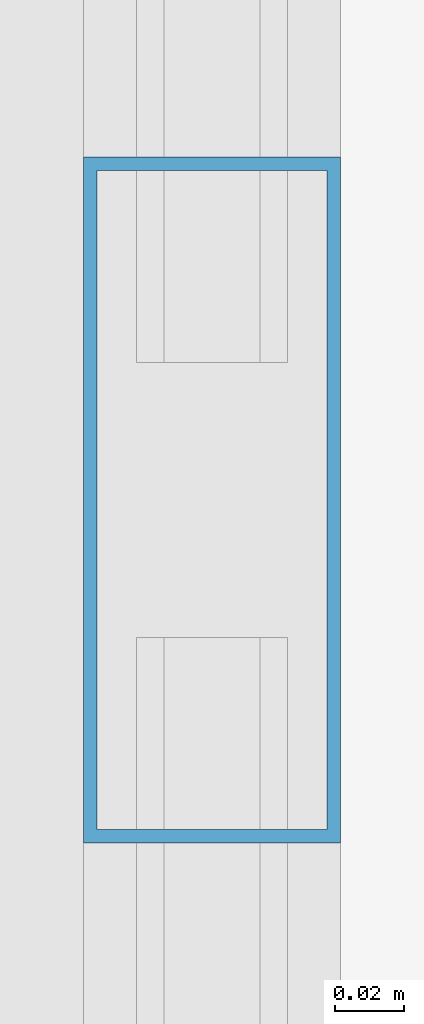
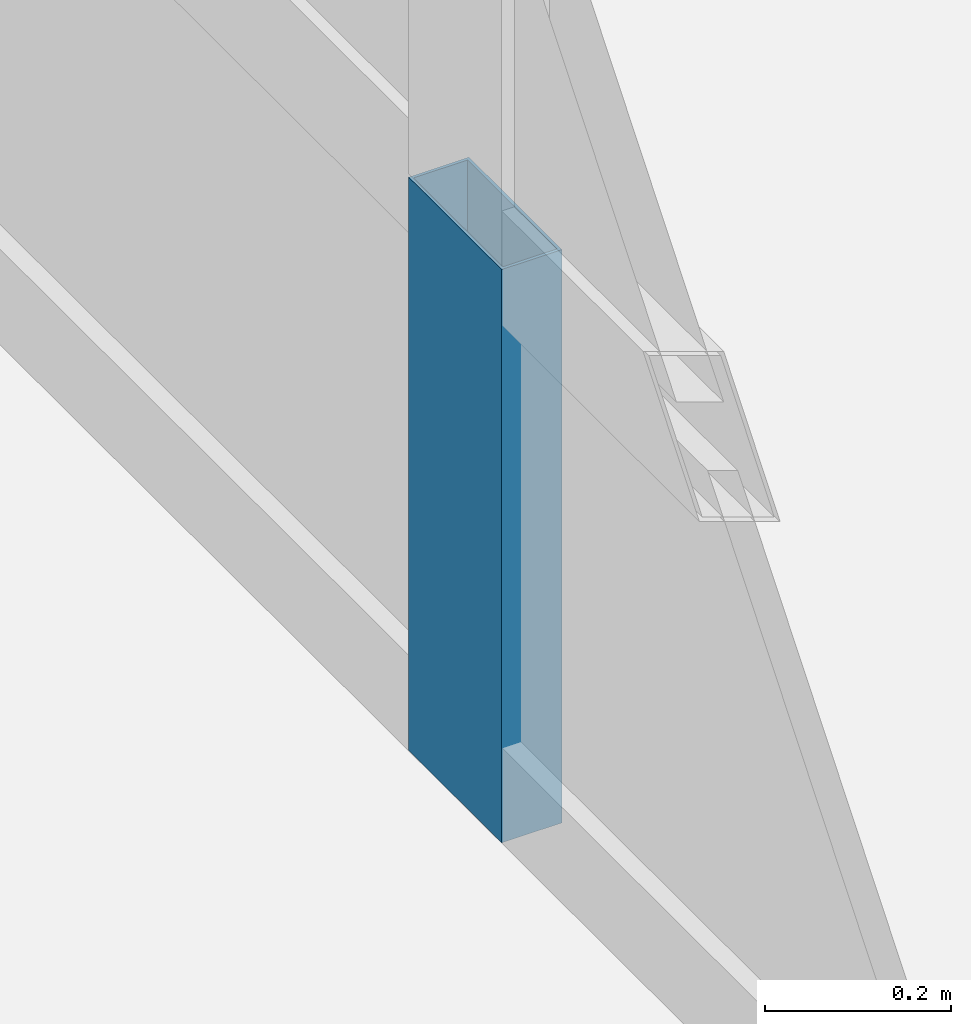
# One storey, part 22 of 35: 1 member, 1 element without a shape of its own.
"""IFC4 building model written with IfcOpenShell, lengths in metres."""

from ifc_helpers import new_model, si_unit, direction, frame, origin, origin_2d, place, context, subcontext, project, spatial, hollow_rectangle, extrude, source, transform, mapped, material, layer, layer_set, material_profile, profile_set, type_object, element, aggregate, save


model = new_model("IFC4")

# Units and contexts
model_context = context("Model", 3, precision=1e-05, world=origin(), true_north=direction((0.0, 1.0)))
body_context = subcontext(model_context, "Body", "Model", "MODEL_VIEW")
ifc_project = project(units=[si_unit("LENGTHUNIT", "METRE"), si_unit("AREAUNIT", "SQUARE_METRE"), si_unit("VOLUMEUNIT", "CUBIC_METRE"), si_unit("PLANEANGLEUNIT", "RADIAN"), si_unit("MASSUNIT", "GRAM", prefix="KILO"), si_unit("THERMODYNAMICTEMPERATUREUNIT", "KELVIN"), si_unit("POWERUNIT", "WATT")], contexts=[model_context])

# Site, building, storey
site_placement = place(None, origin())
site = spatial("IfcSite", under=ifc_project, at=site_placement, CompositionType="ELEMENT")
building_placement = place(site_placement, origin())
building = spatial("IfcBuilding", under=site, at=building_placement, Name="Yuzanri Waterfront Tower", CompositionType="ELEMENT")
storey_placement = place(building_placement, frame((0.0, 0.0, 311.199951171875)))
storey = spatial("IfcBuildingStorey", under=building, at=storey_placement, Name="L83", CompositionType="ELEMENT", Elevation=311.199951171875)

# Curtain wall, member
ifc_material_1 = material(Name="Anodized Architectural Bronze", Category="metal")
ifc_layer = layer(ifc_material_1, 0.159912109375)
ifc_layer_set = layer_set([ifc_layer], Name="Anodized Architectural Bronze")
curtain_wall_type = type_object("IfcCurtainWallType", Name="Anodized Bronze High-Rise Penthouse High-Wind Unitized Curtain Wall 6900", PredefinedType="NOTDEFINED", material=ifc_layer_set)
curtain_wall_placement = place(storey_placement, origin())
curtain_wall = element("IfcCurtainWall", 1, at=curtain_wall_placement, inside=storey, type_object=curtain_wall_type, Name="L83 Curtain Wall CW-L83-WL", PredefinedType="NOTDEFINED")
ifc_material_2 = material(Name="Anodized Architectural Bronze", Category="metal")
ifc_material_profile = material_profile(ifc_material_2, hollow_rectangle(XDim=0.074951171875, YDim=0.199951171875, WallThickness=0.00390625, at=origin_2d()), Name="CWM 75x200")
ifc_profile_set = profile_set([ifc_material_profile], Name="Anodized Architectural Bronze")
member_type = type_object("IfcMemberType", Name="Anodized Bronze Primary Curtain-Wall Mullion 75x200", PredefinedType="MULLION", material=ifc_profile_set)
shared_shape = source(origin(), body_context, "Body", "SweptSolid", [
    extrude(hollow_rectangle(XDim=0.074951171875, YDim=0.199951171875, WallThickness=0.00390625, at=origin_2d()), origin(), (0.0, 0.0, 1.0), 0.751953125),
])
member_placement = place(storey_placement, frame((18.050048828125, 19.75, 0.0), z_axis=(0.0, 0.0, 1.0), x_axis=(1.0, 0.0, 0.0)))
member = element("IfcMember", 2, at=member_placement, type_object=member_type, Name="CW-L83-WL Lower Mullion 01", PredefinedType="MULLION", context=body_context, shape_type="MappedRepresentation", body=[
    mapped(shared_shape, transform((0.0, 0.0, 0.0), scale=1.0)),
])
aggregate(curtain_wall, [member])

save(model, "model.ifc")
